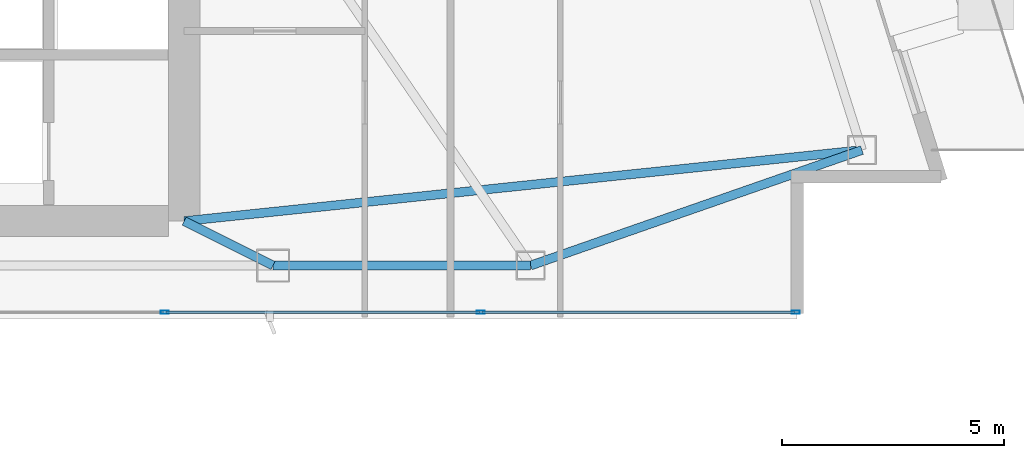
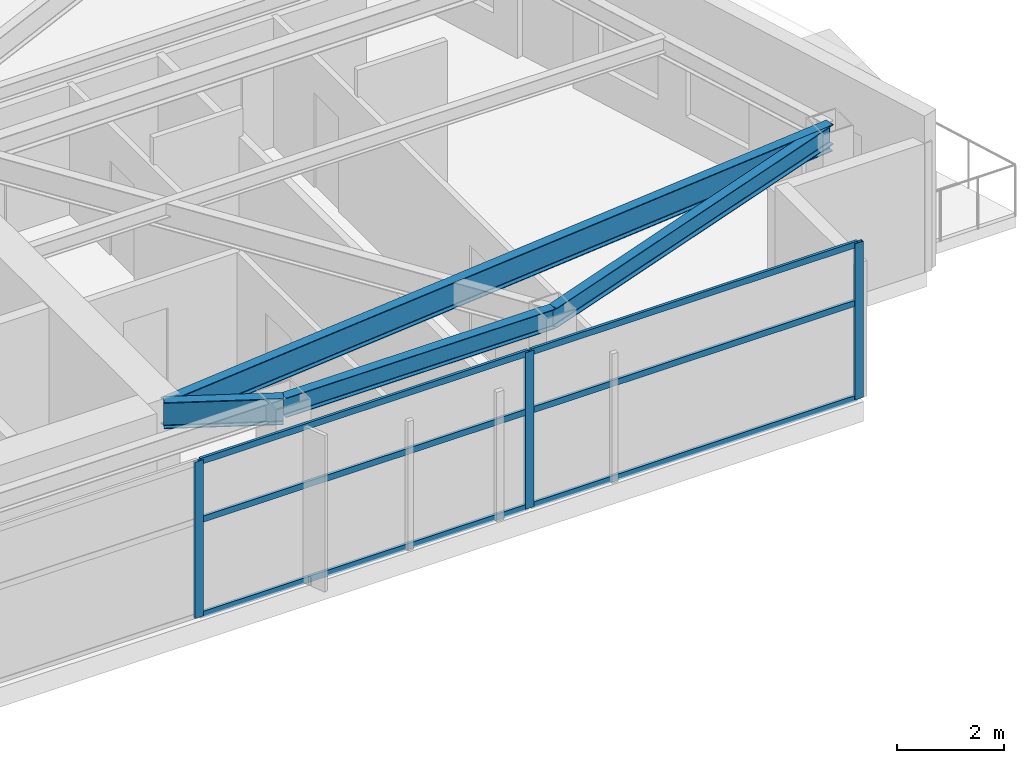
# One storey, part 13 of 28: 9 members, 4 beams, 1 element without a shape of its own.
"""IFC4 building model written with IfcOpenShell, lengths in metres."""

from ifc_helpers import new_model, si_unit, direction, frame, origin, origin_2d, place, context, subcontext, project, spatial, hollow_rectangle, i_section, extrude, material, layer, layer_set, material_profile, profile_set, type_object, element, aggregate, save


model = new_model("IFC4")

# Units and contexts
model_context = context("Model", 3, precision=1e-05, world=origin(), true_north=direction((0.0, 1.0)))
body_context = subcontext(model_context, "Body", "Model", "MODEL_VIEW")
ifc_project = project(units=[si_unit("LENGTHUNIT", "METRE"), si_unit("AREAUNIT", "SQUARE_METRE"), si_unit("VOLUMEUNIT", "CUBIC_METRE"), si_unit("PLANEANGLEUNIT", "RADIAN"), si_unit("MASSUNIT", "GRAM", prefix="KILO")], contexts=[model_context])

# Site, building, storey
site_placement = place(None, origin())
site = spatial("IfcSite", under=ifc_project, at=site_placement, CompositionType="ELEMENT")
building_placement = place(site_placement, origin())
building = spatial("IfcBuilding", under=site, at=building_placement, Name="Calvorn Quay Hotel", CompositionType="ELEMENT")
storey_placement = place(building_placement, frame((0.0, 0.0, 219.300048828125)))
storey = spatial("IfcBuildingStorey", under=building, at=storey_placement, Name="L54", CompositionType="ELEMENT", Elevation=219.300048828125)

# Beams
ifc_material_1 = material(Name="Steel Q355B", Category="steel")
ifc_material_profile_1 = material_profile(ifc_material_1, i_section(OverallWidth=0.199951171875, OverallDepth=0.60009765625, WebThickness=0.010986328125, FlangeThickness=0.01708984375, FilletRadius=0.01806640625, at=origin_2d()), Name="HN600x200x11x17")
ifc_profile_set_1 = profile_set([ifc_material_profile_1], Name="Steel Q355B")
beam_type_1 = type_object("IfcBeamType", Name="BM-GIRD-TYP", PredefinedType="BEAM", material=ifc_profile_set_1)
beam_1_placement = place(storey_placement, frame((34.39990234375, 3.60009765625, 3.239990234375), z_axis=(-0.894427191, 0.4472135955, 0.0), x_axis=(-0.4472135955, -0.894427191, 0.0)))
element("IfcBeam", 1, at=beam_1_placement, inside=storey, type_object=beam_type_1, Name="Beam BG-L54-S3", PredefinedType="BEAM", context=body_context, shape_type="SweptSolid", body=[
    extrude(i_section(OverallWidth=0.199951171875, OverallDepth=0.60009765625, WebThickness=0.010986328125, FlangeThickness=0.01708984375, FilletRadius=0.01806640625, at=origin_2d()), origin(), (0.0, 0.0, 1.0), 2.236083984375),
])
beam_2_placement = place(storey_placement, frame((32.39990234375, 4.60009765625, 3.239990234375), z_axis=(0.99454991229, 0.10426155554, 0.0), x_axis=(-0.10426155554, 0.99454991229, 0.0)))
element("IfcBeam", 2, at=beam_2_placement, inside=storey, type_object=beam_type_1, Name="Beam BG-L54-E1", PredefinedType="BEAM", context=body_context, shape_type="SweptSolid", body=[
    extrude(i_section(OverallWidth=0.199951171875, OverallDepth=0.60009765625, WebThickness=0.010986328125, FlangeThickness=0.01708984375, FilletRadius=0.01806640625, at=origin_2d()), origin(), (0.0, 0.0, 1.0), 15.3447265625),
])
ifc_material_2 = material(Name="Steel Q355B", Category="steel")
ifc_material_profile_2 = material_profile(ifc_material_2, i_section(OverallWidth=0.199951171875, OverallDepth=0.449951171875, WebThickness=0.009033203125, FlangeThickness=0.013916015625, FilletRadius=0.01611328125, at=origin_2d()), Name="HN450x200x9x14")
ifc_profile_set_2 = profile_set([ifc_material_profile_2], Name="Steel Q355B")
beam_type_2 = type_object("IfcBeamType", Name="BM-SPANDREL-Z3", PredefinedType="SPANDREL", material=ifc_profile_set_2)
beam_3_placement = place(storey_placement, frame((34.39990234375, 3.60009765625, 3.31494140625), z_axis=(1.0, 0.0, 0.0), x_axis=(0.0, 1.0, 0.0)))
element("IfcBeam", 3, at=beam_3_placement, inside=storey, type_object=beam_type_2, Name="Beam BSP-L54-S4", PredefinedType="SPANDREL", context=body_context, shape_type="SweptSolid", body=[
    extrude(i_section(OverallWidth=0.199951171875, OverallDepth=0.449951171875, WebThickness=0.009033203125, FlangeThickness=0.013916015625, FilletRadius=0.01611328125, at=origin_2d()), origin(), (0.0, 0.0, 1.0), 5.800048828125),
])
beam_4_placement = place(storey_placement, frame((40.199951171875, 3.60009765625, 3.31494140625), z_axis=(0.944310305586, 0.329056297257, 0.0), x_axis=(-0.329056297257, 0.944310305586, 0.0)))
element("IfcBeam", 4, at=beam_4_placement, inside=storey, type_object=beam_type_2, Name="Beam BSP-L54-S5", PredefinedType="SPANDREL", context=body_context, shape_type="SweptSolid", body=[
    extrude(i_section(OverallWidth=0.199951171875, OverallDepth=0.449951171875, WebThickness=0.009033203125, FlangeThickness=0.013916015625, FilletRadius=0.01611328125, at=origin_2d()), origin(), (0.0, 0.0, 1.0), 7.90087890625),
])

# Curtain wall, members
ifc_material_3 = material(Name="Champagne Bronze Anodised Aluminium and Low-E Glass", Category="aluminium")
ifc_layer = layer(ifc_material_3, 0.219970703125)
ifc_layer_set = layer_set([ifc_layer], Name="CW-SYS-Z3")
curtain_wall_type = type_object("IfcCurtainWallType", Name="CW-SYS-Z3", PredefinedType="NOTDEFINED", material=ifc_layer_set)
curtain_wall_placement = place(storey_placement, origin())
curtain_wall = element("IfcCurtainWall", 5, at=curtain_wall_placement, inside=storey, type_object=curtain_wall_type, Name="Tower South Waterfront Curtain Wall (L54)", PredefinedType="NOTDEFINED")
ifc_material_4 = material(Name="Champagne Bronze Anodised Aluminium 6063-T6", Category="aluminium")
ifc_material_profile_3 = material_profile(ifc_material_4, hollow_rectangle(XDim=0.068115234375, YDim=0.18505859375, WallThickness=0.00390625, at=origin_2d()), Name="ALU-M185x68x4")
ifc_profile_set_3 = profile_set([ifc_material_profile_3], Name="Champagne Bronze Anodised Aluminium 6063-T6")
member_type_1 = type_object("IfcMemberType", Name="CW-SYS-Z3-MUL", PredefinedType="MULLION", material=ifc_profile_set_3)
member_1_placement = place(storey_placement, frame((31.9599609375, 2.550048828125, 0.0), z_axis=(0.0, 0.0, 1.0), x_axis=(0.0, 1.0, 0.0)))
member_1 = element("IfcMember", 6, at=member_1_placement, type_object=member_type_1, Name="CW-L54-S mullion 4", PredefinedType="MULLION", context=body_context, shape_type="SweptSolid", body=[
    extrude(hollow_rectangle(XDim=0.068115234375, YDim=0.18505859375, WallThickness=0.00390625, at=origin_2d()), origin(), (0.0, 0.0, 1.0), 3.56005859375),
])
member_2_placement = place(storey_placement, frame((39.080078125, 2.550048828125, 0.0), z_axis=(0.0, 0.0, 1.0), x_axis=(0.0, 1.0, 0.0)))
member_2 = element("IfcMember", 7, at=member_2_placement, type_object=member_type_1, Name="CW-L54-S mullion 5", PredefinedType="MULLION", context=body_context, shape_type="SweptSolid", body=[
    extrude(hollow_rectangle(XDim=0.068115234375, YDim=0.18505859375, WallThickness=0.00390625, at=origin_2d()), origin(), (0.0, 0.0, 1.0), 3.56005859375),
])
member_3_placement = place(storey_placement, frame((46.169921875, 2.550048828125, 0.0), z_axis=(0.0, 0.0, 1.0), x_axis=(0.0, 1.0, 0.0)))
member_3 = element("IfcMember", 8, at=member_3_placement, type_object=member_type_1, Name="CW-L54-S mullion 6", PredefinedType="MULLION", context=body_context, shape_type="SweptSolid", body=[
    extrude(hollow_rectangle(XDim=0.068115234375, YDim=0.18505859375, WallThickness=0.00390625, at=origin_2d()), origin(), (0.0, 0.0, 1.0), 3.56005859375),
])
ifc_material_5 = material(Name="Champagne Bronze Anodised Aluminium 6063-T6", Category="aluminium")
ifc_material_profile_4 = material_profile(ifc_material_5, hollow_rectangle(XDim=0.05810546875, YDim=0.139892578125, WallThickness=0.003173828125, at=origin_2d()), Name="ALU-T140x58x3.2")
ifc_profile_set_4 = profile_set([ifc_material_profile_4], Name="Champagne Bronze Anodised Aluminium 6063-T6")
member_type_2 = type_object("IfcMemberType", Name="CW-SYS-Z3-TRN", PredefinedType="USERDEFINED", material=ifc_profile_set_4)
member_4_placement = place(storey_placement, frame((31.989990234375, 2.550048828125, 0.030029296875), z_axis=(1.0, 0.0, 0.0), x_axis=(0.0, 1.0, 0.0)))
member_4 = element("IfcMember", 9, at=member_4_placement, type_object=member_type_2, Name="CW-L54-S transom 4.1", ObjectType="TRANSOM", PredefinedType="USERDEFINED", context=body_context, shape_type="SweptSolid", body=[
    extrude(hollow_rectangle(XDim=0.05810546875, YDim=0.139892578125, WallThickness=0.003173828125, at=origin_2d()), origin(), (0.0, 0.0, 1.0), 7.06005859375),
])
member_5_placement = place(storey_placement, frame((31.989990234375, 2.550048828125, 2.199951171875), z_axis=(1.0, 0.0, 0.0), x_axis=(0.0, 1.0, 0.0)))
member_5 = element("IfcMember", 10, at=member_5_placement, type_object=member_type_2, Name="CW-L54-S transom 4.2", ObjectType="TRANSOM", PredefinedType="USERDEFINED", context=body_context, shape_type="SweptSolid", body=[
    extrude(hollow_rectangle(XDim=0.05810546875, YDim=0.139892578125, WallThickness=0.003173828125, at=origin_2d()), origin(), (0.0, 0.0, 1.0), 7.06005859375),
])
member_6_placement = place(storey_placement, frame((31.989990234375, 2.550048828125, 3.530029296875), z_axis=(1.0, 0.0, 0.0), x_axis=(0.0, 1.0, 0.0)))
member_6 = element("IfcMember", 11, at=member_6_placement, type_object=member_type_2, Name="CW-L54-S transom 4.3", ObjectType="TRANSOM", PredefinedType="USERDEFINED", context=body_context, shape_type="SweptSolid", body=[
    extrude(hollow_rectangle(XDim=0.05810546875, YDim=0.139892578125, WallThickness=0.003173828125, at=origin_2d()), origin(), (0.0, 0.0, 1.0), 7.06005859375),
])
member_7_placement = place(storey_placement, frame((39.110107421875, 2.550048828125, 0.030029296875), z_axis=(1.0, 0.0, 0.0), x_axis=(0.0, 1.0, 0.0)))
member_7 = element("IfcMember", 12, at=member_7_placement, type_object=member_type_2, Name="CW-L54-S transom 5.1", ObjectType="TRANSOM", PredefinedType="USERDEFINED", context=body_context, shape_type="SweptSolid", body=[
    extrude(hollow_rectangle(XDim=0.05810546875, YDim=0.139892578125, WallThickness=0.003173828125, at=origin_2d()), origin(), (0.0, 0.0, 1.0), 7.02978515625),
])
member_8_placement = place(storey_placement, frame((39.110107421875, 2.550048828125, 2.199951171875), z_axis=(1.0, 0.0, 0.0), x_axis=(0.0, 1.0, 0.0)))
member_8 = element("IfcMember", 13, at=member_8_placement, type_object=member_type_2, Name="CW-L54-S transom 5.2", ObjectType="TRANSOM", PredefinedType="USERDEFINED", context=body_context, shape_type="SweptSolid", body=[
    extrude(hollow_rectangle(XDim=0.05810546875, YDim=0.139892578125, WallThickness=0.003173828125, at=origin_2d()), origin(), (0.0, 0.0, 1.0), 7.02978515625),
])
member_9_placement = place(storey_placement, frame((39.110107421875, 2.550048828125, 3.530029296875), z_axis=(1.0, 0.0, 0.0), x_axis=(0.0, 1.0, 0.0)))
member_9 = element("IfcMember", 14, at=member_9_placement, type_object=member_type_2, Name="CW-L54-S transom 5.3", ObjectType="TRANSOM", PredefinedType="USERDEFINED", context=body_context, shape_type="SweptSolid", body=[
    extrude(hollow_rectangle(XDim=0.05810546875, YDim=0.139892578125, WallThickness=0.003173828125, at=origin_2d()), origin(), (0.0, 0.0, 1.0), 7.02978515625),
])
aggregate(curtain_wall, [member_1, member_2, member_3, member_4, member_5, member_6, member_7, member_8, member_9])

save(model, "model.ifc")
